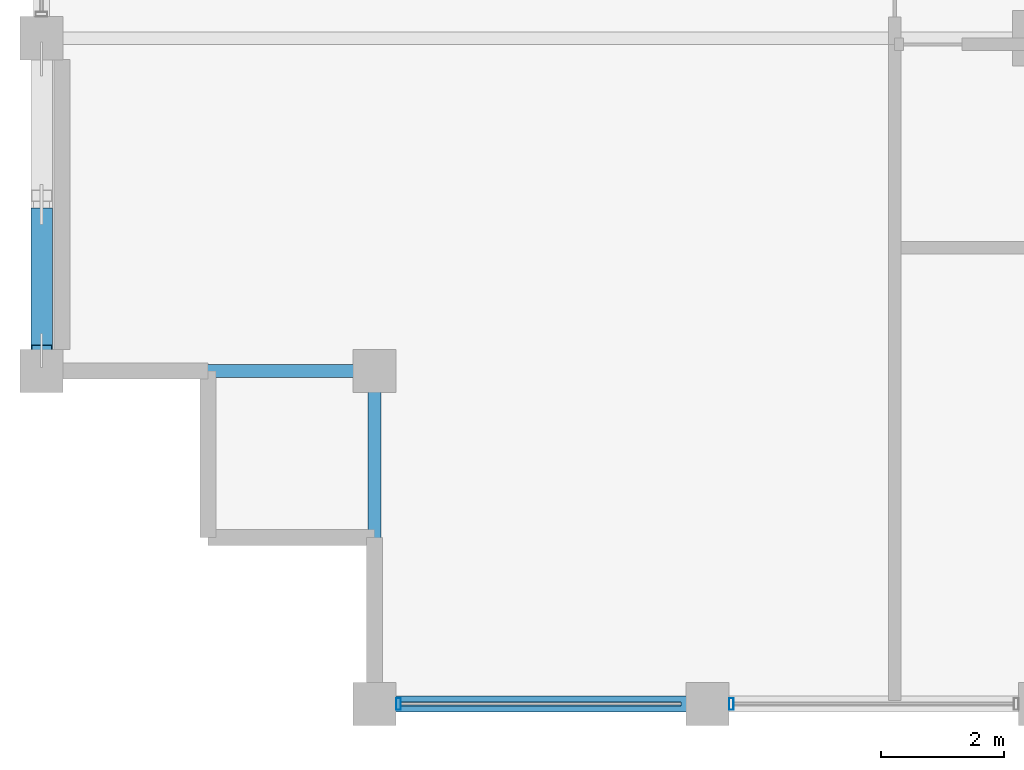
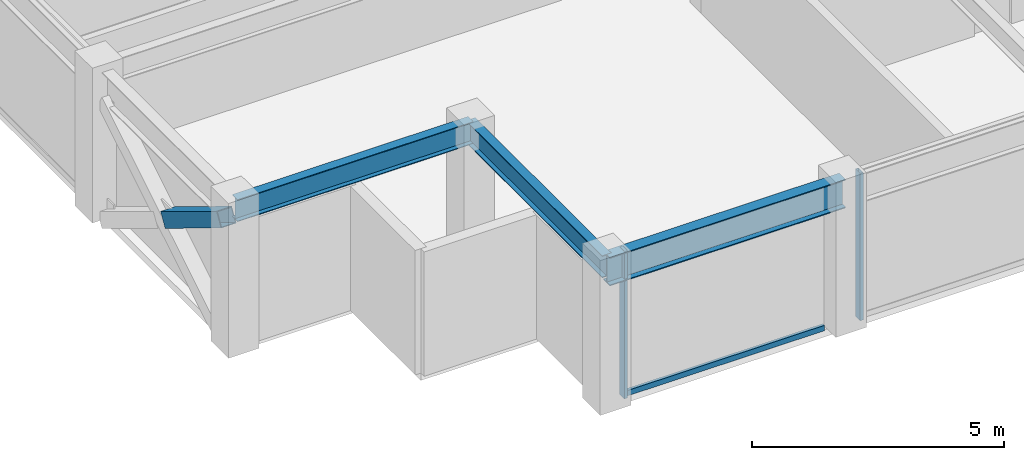
# One storey, part 2 of 31: 4 members, 3 beams, 1 element without a shape of its own.
"""IFC4 building model written with IfcOpenShell, lengths in metres."""

from ifc_helpers import new_model, si_unit, direction, frame, origin, origin_2d, place, context, subcontext, project, spatial, hollow_rectangle, i_section, extrude, material, layer, layer_set, material_profile, profile_set, type_object, element, aggregate, save


model = new_model("IFC4")

# Units and contexts
model_context = context("Model", 3, precision=1e-05, world=origin(), true_north=direction((0.0, 1.0)))
body_context = subcontext(model_context, "Body", "Model", "MODEL_VIEW")
ifc_project = project(units=[si_unit("LENGTHUNIT", "METRE"), si_unit("AREAUNIT", "SQUARE_METRE"), si_unit("VOLUMEUNIT", "CUBIC_METRE"), si_unit("PLANEANGLEUNIT", "RADIAN"), si_unit("MASSUNIT", "GRAM", prefix="KILO")], contexts=[model_context])

# Site, building, storey
site_placement = place(None, origin())
site = spatial("IfcSite", under=ifc_project, at=site_placement, CompositionType="ELEMENT")
building_placement = place(site_placement, origin())
building = spatial("IfcBuilding", under=site, at=building_placement, Name="Surkhivell Harbour Commons", CompositionType="ELEMENT")
storey_placement = place(building_placement, frame((0.0, 0.0, 330.0)))
storey = spatial("IfcBuildingStorey", under=building, at=storey_placement, Name="L86", CompositionType="ELEMENT", Elevation=330.0)

# Beams
ifc_material_1 = material(Name="Steel S355", Category="steel")
ifc_material_profile_1 = material_profile(ifc_material_1, i_section(OverallWidth=0.2099609375, OverallDepth=0.537109375, WebThickness=0.0107421875, FlangeThickness=0.017333984375, at=origin_2d()), Name="UB533x210x101")
ifc_profile_set_1 = profile_set([ifc_material_profile_1], Name="Steel S355")
beam_type_1 = type_object("IfcBeamType", Name="BM-GRD-533B", PredefinedType="BEAM", material=ifc_profile_set_1)
beam_1_placement = place(storey_placement, frame((-27.0, -16.199951171875, 3.301513671875), z_axis=(1.0, 0.0, 0.0), x_axis=(0.0, 1.0, 0.0)))
element("IfcBeam", 1, at=beam_1_placement, inside=storey, type_object=beam_type_1, Name="L86 Floor Girder (-27.0,-16.2)", PredefinedType="BEAM", context=body_context, shape_type="SweptSolid", body=[
    extrude(i_section(OverallWidth=0.2099609375, OverallDepth=0.537109375, WebThickness=0.0107421875, FlangeThickness=0.017333984375, at=origin_2d()), origin(), (0.0, 0.0, 1.0), 5.39990234375),
])
beam_2_placement = place(storey_placement, frame((-21.60009765625, -21.60009765625, 3.301513671875), z_axis=(0.0, 1.0, 0.0), x_axis=(-1.0, 0.0, 0.0)))
element("IfcBeam", 2, at=beam_2_placement, inside=storey, type_object=beam_type_1, Name="L86 Floor Girder (-21.6,-21.6)", PredefinedType="BEAM", context=body_context, shape_type="SweptSolid", body=[
    extrude(i_section(OverallWidth=0.2099609375, OverallDepth=0.537109375, WebThickness=0.0107421875, FlangeThickness=0.017333984375, at=origin_2d()), origin(), (0.0, 0.0, 1.0), 5.400146484375),
])
ifc_material_profile_2 = material_profile(ifc_material_1, i_section(OverallWidth=0.256103515625, OverallDepth=0.693115234375, WebThickness=0.014404296875, FlangeThickness=0.023681640625, at=origin_2d()), Name="UB686x254x170")
ifc_profile_set_2 = profile_set([ifc_material_profile_2], Name="Steel S355")
beam_type_2 = type_object("IfcBeamType", Name="BM-SPN-686", PredefinedType="SPANDREL", material=ifc_profile_set_2)
beam_3_placement = place(storey_placement, frame((-21.60009765625, -21.60009765625, 3.223388671875), z_axis=(1.0, 0.0, 0.0), x_axis=(0.0, 1.0, 0.0)))
element("IfcBeam", 3, at=beam_3_placement, inside=storey, type_object=beam_type_2, Name="L86 Tube Spandrel (-21.6,-21.6)", PredefinedType="SPANDREL", context=body_context, shape_type="SweptSolid", body=[
    extrude(i_section(OverallWidth=0.256103515625, OverallDepth=0.693115234375, WebThickness=0.014404296875, FlangeThickness=0.023681640625, at=origin_2d()), origin(), (0.0, 0.0, 1.0), 5.400146484375),
])

# Curtain wall, members
ifc_material_2 = material(Name="Anodised pale-metal aluminium and insulated glazing", Category="aluminium")
ifc_layer = layer(ifc_material_2, 0.175048828125)
ifc_layer_set = layer_set([ifc_layer], Name="Anodised pale-metal aluminium and insulated glazing")
curtain_wall_type = type_object("IfcCurtainWallType", Name="CW-SYS-Z4", PredefinedType="NOTDEFINED", material=ifc_layer_set)
curtain_wall_placement = place(storey_placement, origin())
curtain_wall = element("IfcCurtainWall", 4, at=curtain_wall_placement, inside=storey, type_object=curtain_wall_type, Name="L86 Curtain Wall CW-L86-E00S1", PredefinedType="NOTDEFINED")
ifc_material_3 = material(Name="Anodised pale-metal aluminium alloy 6063-T6", Category="aluminium")
ifc_material_profile_3 = material_profile(ifc_material_3, hollow_rectangle(XDim=0.074951171875, YDim=0.18994140625, WallThickness=0.00390625, at=origin_2d()), Name="ALU-MULL-75x190")
ifc_profile_set_3 = profile_set([ifc_material_profile_3], Name="Anodised pale-metal aluminium alloy 6063-T6")
member_type_1 = type_object("IfcMemberType", Name="CWM-190", PredefinedType="MULLION", material=ifc_profile_set_3)
member_1_placement = place(storey_placement, frame((-21.21044921875, -21.60009765625, 0.0), z_axis=(0.0, 0.0, 1.0), x_axis=(1.0, 0.0, 0.0)))
member_1 = element("IfcMember", 5, at=member_1_placement, type_object=member_type_1, Name="CW-Z4 mullion 1", PredefinedType="MULLION", context=body_context, shape_type="SweptSolid", body=[
    extrude(hollow_rectangle(XDim=0.074951171875, YDim=0.18994140625, WallThickness=0.00390625, at=origin_2d()), origin(), (0.0, 0.0, 1.0), 3.570068359375),
])
member_2_placement = place(storey_placement, frame((-15.810546875, -21.60009765625, 0.0), z_axis=(0.0, 0.0, 1.0), x_axis=(1.0, 0.0, 0.0)))
member_2 = element("IfcMember", 6, at=member_2_placement, type_object=member_type_1, Name="CW-Z4 mullion 2", PredefinedType="MULLION", context=body_context, shape_type="SweptSolid", body=[
    extrude(hollow_rectangle(XDim=0.074951171875, YDim=0.18994140625, WallThickness=0.00390625, at=origin_2d()), origin(), (0.0, 0.0, 1.0), 3.570068359375),
])
ifc_material_4 = material(Name="Champagne anodised aluminium alloy 6063-T6", Category="aluminium")
ifc_material_profile_4 = material_profile(ifc_material_4, hollow_rectangle(XDim=0.070068359375, YDim=0.1298828125, WallThickness=0.00341796875, at=origin_2d()), Name="ALU-TRAN-70x130")
ifc_profile_set_4 = profile_set([ifc_material_profile_4], Name="Champagne anodised aluminium alloy 6063-T6")
member_type_2 = type_object("IfcMemberType", Name="CWT-130", PredefinedType="USERDEFINED", material=ifc_profile_set_4)
member_3_placement = place(storey_placement, frame((-21.173095703125, -21.60009765625, 0.06494140625), z_axis=(1.0, 0.0, 0.0), x_axis=(0.0, 1.0, 0.0)))
member_3 = element("IfcMember", 7, at=member_3_placement, type_object=member_type_2, Name="CW-Z4 transom 1.1", ObjectType="TRANSOM", PredefinedType="USERDEFINED", context=body_context, shape_type="SweptSolid", body=[
    extrude(hollow_rectangle(XDim=0.070068359375, YDim=0.1298828125, WallThickness=0.00341796875, at=origin_2d()), origin(), (0.0, 0.0, 1.0), 4.546142578125),
])
aggregate(curtain_wall, [member_1, member_3, member_2])

# Member
ifc_material_profile_5 = material_profile(ifc_material_1, hollow_rectangle(XDim=0.35009765625, YDim=0.35009765625, WallThickness=0.01611328125, at=origin_2d()), Name="SHS350x350x16")
ifc_profile_set_5 = profile_set([ifc_material_profile_5], Name="Steel S355")
member_type_3 = type_object("IfcMemberType", Name="MEM-BRC-SHS350", PredefinedType="BRACE", material=ifc_profile_set_5)
member_4_placement = place(storey_placement, frame((-27.0, -13.6435546875, 1.53173828125), z_axis=(0.0, -0.854678858595, 0.51915705588), x_axis=(1.0, 0.0, 0.0)))
element("IfcMember", 8, at=member_4_placement, inside=storey, type_object=member_type_3, Name="L86 Perimeter Mega-Brace MB- 12", PredefinedType="BRACE", context=body_context, shape_type="SweptSolid", body=[
    extrude(hollow_rectangle(XDim=0.35009765625, YDim=0.35009765625, WallThickness=0.01611328125, at=origin_2d()), origin(), (0.0, 0.0, 1.0), 2.59912109375),
])

save(model, "model.ifc")
